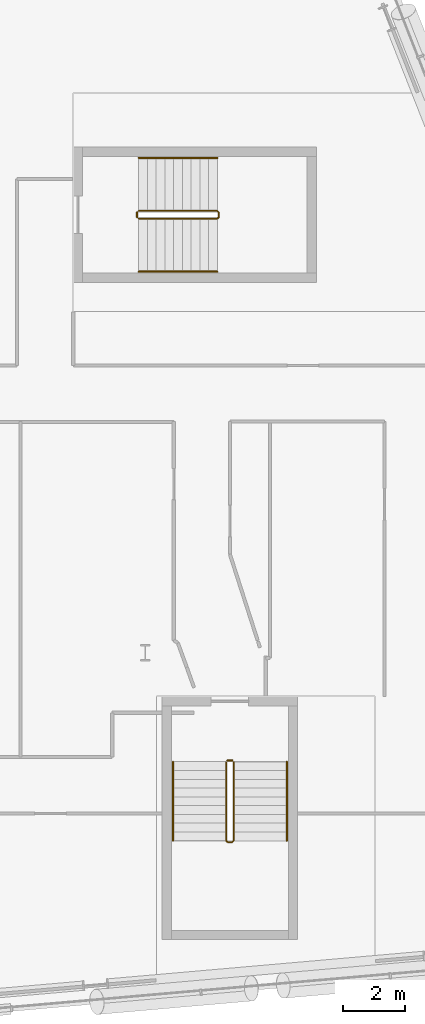
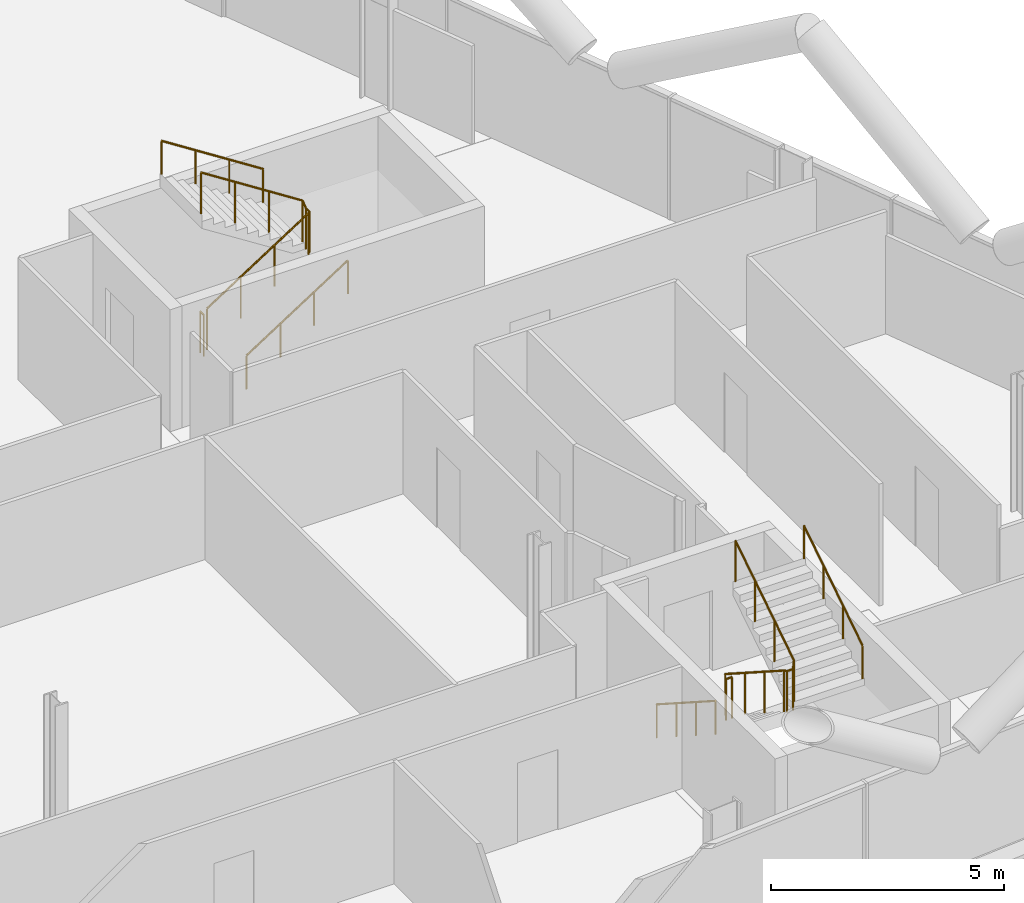
# One storey, part 28 of 28: 8 railings.
"""IFC4 building model written with IfcOpenShell, lengths in metres."""

from ifc_helpers import new_model, si_unit, direction, frame, origin, origin_2d, place, context, subcontext, project, spatial, circle, extrude, material, type_object, element, save


model = new_model("IFC4")

# Units and contexts
model_context = context("Model", 3, precision=1e-05, world=origin(), true_north=direction((0.0, 1.0)))
body_context = subcontext(model_context, "Body", "Model", "MODEL_VIEW")
ifc_project = project(units=[si_unit("LENGTHUNIT", "METRE"), si_unit("AREAUNIT", "SQUARE_METRE"), si_unit("VOLUMEUNIT", "CUBIC_METRE"), si_unit("PLANEANGLEUNIT", "RADIAN"), si_unit("MASSUNIT", "GRAM", prefix="KILO")], contexts=[model_context])

# Site, building, storey
site_placement = place(None, origin())
site = spatial("IfcSite", under=ifc_project, at=site_placement, CompositionType="ELEMENT")
building_placement = place(site_placement, origin())
building = spatial("IfcBuilding", under=site, at=building_placement, Name="Wharfspan Tower", CompositionType="ELEMENT")
storey_placement = place(building_placement, frame((0.0, 0.0, 132.699951)))
storey = spatial("IfcBuildingStorey", under=building, at=storey_placement, Name="L31", CompositionType="ELEMENT", Elevation=132.699951)

# Railings
ifc_material = material(Name="Steel S355J2", Category="steel")
railing_type_1 = type_object("IfcRailingType", Name="Stair guard 1100", PredefinedType="GUARDRAIL", material=ifc_material)
railing_1_placement = place(storey_placement, frame((74.591064, 7.994629, 0.179932)))
element("IfcRailing", 1, at=railing_1_placement, inside=storey, type_object=railing_type_1, Name="L31 ST5 stair guard 1", PredefinedType="GUARDRAIL", context=body_context, shape_type="SweptSolid", body=[
    extrude(circle(Radius=0.023926, at=origin_2d()), frame((0.0, 0.0, 1.076172), z_axis=(0.0, -0.841163, 0.540782), x_axis=(1.0, 0.0, 0.0)), (0.0, 0.0, 1.0), 2.99585),
    extrude(circle(Radius=0.023926, at=origin_2d()), frame((0.0, -2.52002, 2.696289), z_axis=(0.707107, -0.707107, 0.0), x_axis=(0.707107, 0.707107, 0.0)), (0.0, 0.0, 1.0), 0.070801),
    extrude(circle(Radius=0.023926, at=origin_2d()), frame((0.050049, -2.570068, 2.696289), z_axis=(1.0, 0.0, 0.0), x_axis=(0.0, 1.0, 0.0)), (0.0, 0.0, 1.0), 0.149902),
    extrude(circle(Radius=0.023926, at=origin_2d()), frame((0.199951, -2.570068, 2.696289), z_axis=(0.258848, 0.258848, 0.930589), x_axis=(-0.707107, 0.707107, 0.0)), (0.0, 0.0, 1.0), 0.193359),
    extrude(circle(Radius=0.023926, at=origin_2d()), frame((0.25, -2.52002, 2.875977), z_axis=(0.0, 0.841163, 0.540782), x_axis=(-1.0, 0.0, 0.0)), (0.0, 0.0, 1.0), 2.99585),
    extrude(circle(Radius=0.020996, at=origin_2d()), origin(), (0.0, 0.0, 1.0), 1.052002),
    extrude(circle(Radius=0.020996, at=origin_2d()), frame((0.0, -0.840088, 0.540039)), (0.0, 0.0, 1.0), 1.052002),
    extrude(circle(Radius=0.020996, at=origin_2d()), frame((0.0, -1.679932, 1.080078)), (0.0, 0.0, 1.0), 1.052002),
    extrude(circle(Radius=0.020996, at=origin_2d()), frame((0.0, -2.52002, 1.620117)), (0.0, 0.0, 1.0), 1.052002),
    extrude(circle(Radius=0.020996, at=origin_2d()), frame((0.050049, -2.570068, 1.620117)), (0.0, 0.0, 1.0), 1.052002),
    extrude(circle(Radius=0.020996, at=origin_2d()), frame((0.199951, -2.570068, 1.620117)), (0.0, 0.0, 1.0), 1.052002),
    extrude(circle(Radius=0.020996, at=origin_2d()), frame((0.25, -2.52002, 1.800049)), (0.0, 0.0, 1.0), 1.052002),
    extrude(circle(Radius=0.020996, at=origin_2d()), frame((0.25, -1.679932, 2.340088)), (0.0, 0.0, 1.0), 1.052002),
    extrude(circle(Radius=0.020996, at=origin_2d()), frame((0.25, -0.840088, 2.880127)), (0.0, 0.0, 1.0), 1.052002),
    extrude(circle(Radius=0.020996, at=origin_2d()), frame((0.25, 0.0, 3.420166)), (0.0, 0.0, 1.0), 1.052002),
])
railing_2_placement = place(storey_placement, frame((74.641113, 8.044678, 0.0)))
element("IfcRailing", 2, at=railing_2_placement, inside=storey, type_object=railing_type_1, Name="L31 ST5 stair guard 2", PredefinedType="GUARDRAIL", context=body_context, shape_type="SweptSolid", body=[
    extrude(circle(Radius=0.023926, at=origin_2d()), frame((0.0, 0.0, 1.076172), z_axis=(1.0, 0.0, 0.0), x_axis=(0.0, 1.0, 0.0)), (0.0, 0.0, 1.0), 0.149902),
    extrude(circle(Radius=0.020996, at=origin_2d()), origin(), (0.0, 0.0, 1.0), 1.052002),
    extrude(circle(Radius=0.020996, at=origin_2d()), frame((0.149902, 0.0, 0.0)), (0.0, 0.0, 1.0), 1.052002),
])
railing_3_placement = place(storey_placement, frame((71.790283, 25.425049, 0.179932)))
element("IfcRailing", 3, at=railing_3_placement, inside=storey, type_object=railing_type_1, Name="L31 ST6 stair guard 1", PredefinedType="GUARDRAIL", context=body_context, shape_type="SweptSolid", body=[
    extrude(circle(Radius=0.023926, at=origin_2d()), frame((0.0, 0.0, 1.076172), z_axis=(0.841163, 0.0, 0.540782), x_axis=(0.0, 1.0, 0.0)), (0.0, 0.0, 1.0), 2.99585),
    extrude(circle(Radius=0.023926, at=origin_2d()), frame((2.52002, 0.0, 2.696289), z_axis=(0.707107, 0.707107, 0.0), x_axis=(-0.707107, 0.707107, 0.0)), (0.0, 0.0, 1.0), 0.070801),
    extrude(circle(Radius=0.023926, at=origin_2d()), frame((2.570068, 0.050049, 2.696289), z_axis=(0.0, 1.0, 0.0), x_axis=(-1.0, 0.0, 0.0)), (0.0, 0.0, 1.0), 0.149902),
    extrude(circle(Radius=0.023926, at=origin_2d()), frame((2.570068, 0.199951, 2.696289), z_axis=(-0.258848, 0.258848, 0.930589), x_axis=(-0.707107, -0.707107, 0.0)), (0.0, 0.0, 1.0), 0.193359),
    extrude(circle(Radius=0.023926, at=origin_2d()), frame((2.52002, 0.25, 2.875977), z_axis=(-0.841163, 0.0, 0.540782), x_axis=(0.0, -1.0, 0.0)), (0.0, 0.0, 1.0), 2.99585),
    extrude(circle(Radius=0.020996, at=origin_2d()), origin(), (0.0, 0.0, 1.0), 1.052002),
    extrude(circle(Radius=0.020996, at=origin_2d()), frame((0.840088, 0.0, 0.540039)), (0.0, 0.0, 1.0), 1.052002),
    extrude(circle(Radius=0.020996, at=origin_2d()), frame((1.679932, 0.0, 1.080078)), (0.0, 0.0, 1.0), 1.052002),
    extrude(circle(Radius=0.020996, at=origin_2d()), frame((2.52002, 0.0, 1.620117)), (0.0, 0.0, 1.0), 1.052002),
    extrude(circle(Radius=0.020996, at=origin_2d()), frame((2.570068, 0.050049, 1.620117)), (0.0, 0.0, 1.0), 1.052002),
    extrude(circle(Radius=0.020996, at=origin_2d()), frame((2.570068, 0.199951, 1.620117)), (0.0, 0.0, 1.0), 1.052002),
    extrude(circle(Radius=0.020996, at=origin_2d()), frame((2.52002, 0.25, 1.800049)), (0.0, 0.0, 1.0), 1.052002),
    extrude(circle(Radius=0.020996, at=origin_2d()), frame((1.679932, 0.25, 2.340088)), (0.0, 0.0, 1.0), 1.052002),
    extrude(circle(Radius=0.020996, at=origin_2d()), frame((0.840088, 0.25, 2.880127)), (0.0, 0.0, 1.0), 1.052002),
    extrude(circle(Radius=0.020996, at=origin_2d()), frame((0.0, 0.25, 3.420166)), (0.0, 0.0, 1.0), 1.052002),
])
railing_4_placement = place(storey_placement, frame((71.740479, 25.475098, 0.0)))
element("IfcRailing", 4, at=railing_4_placement, inside=storey, type_object=railing_type_1, Name="L31 ST6 stair guard 2", PredefinedType="GUARDRAIL", context=body_context, shape_type="SweptSolid", body=[
    extrude(circle(Radius=0.023926, at=origin_2d()), frame((0.0, 0.0, 1.076172), z_axis=(0.0, 1.0, 0.0), x_axis=(-1.0, 0.0, 0.0)), (0.0, 0.0, 1.0), 0.149902),
    extrude(circle(Radius=0.020996, at=origin_2d()), origin(), (0.0, 0.0, 1.0), 1.052002),
    extrude(circle(Radius=0.020996, at=origin_2d()), frame((0.0, 0.149902, 0.0)), (0.0, 0.0, 1.0), 1.052002),
])
railing_type_2 = type_object("IfcRailingType", Name="Stair handrail 900", PredefinedType="HANDRAIL", material=ifc_material)
railing_5_placement = place(storey_placement, frame((72.891113, 7.994629, 0.179932)))
element("IfcRailing", 5, at=railing_5_placement, inside=storey, type_object=railing_type_2, Name="L31 ST5 stair handrail 1", PredefinedType="HANDRAIL", context=body_context, shape_type="SweptSolid", body=[
    extrude(circle(Radius=0.023926, at=origin_2d()), frame((0.0, 0.0, 0.875977), z_axis=(0.0, -0.841163, 0.540782), x_axis=(1.0, 0.0, 0.0)), (0.0, 0.0, 1.0), 2.99585),
    extrude(circle(Radius=0.020996, at=origin_2d()), origin(), (0.0, 0.0, 1.0), 0.851807),
    extrude(circle(Radius=0.020996, at=origin_2d()), frame((0.0, -0.840088, 0.540039)), (0.0, 0.0, 1.0), 0.851807),
    extrude(circle(Radius=0.020996, at=origin_2d()), frame((0.0, -1.679932, 1.080078)), (0.0, 0.0, 1.0), 0.851807),
    extrude(circle(Radius=0.020996, at=origin_2d()), frame((0.0, -2.52002, 1.620117)), (0.0, 0.0, 1.0), 0.851807),
])
railing_6_placement = place(storey_placement, frame((76.541016, 5.474609, 1.97998)))
element("IfcRailing", 6, at=railing_6_placement, inside=storey, type_object=railing_type_2, Name="L31 ST5 stair handrail 2", PredefinedType="HANDRAIL", context=body_context, shape_type="SweptSolid", body=[
    extrude(circle(Radius=0.023926, at=origin_2d()), frame((0.0, 0.0, 0.875977), z_axis=(0.0, 0.841163, 0.540782), x_axis=(-1.0, 0.0, 0.0)), (0.0, 0.0, 1.0), 2.99585),
    extrude(circle(Radius=0.020996, at=origin_2d()), origin(), (0.0, 0.0, 1.0), 0.851807),
    extrude(circle(Radius=0.020996, at=origin_2d()), frame((0.0, 0.840088, 0.540039)), (0.0, 0.0, 1.0), 0.851807),
    extrude(circle(Radius=0.020996, at=origin_2d()), frame((0.0, 1.679932, 1.080078)), (0.0, 0.0, 1.0), 0.851807),
    extrude(circle(Radius=0.020996, at=origin_2d()), frame((0.0, 2.52002, 1.620117)), (0.0, 0.0, 1.0), 0.851807),
])
railing_7_placement = place(storey_placement, frame((71.790283, 23.725098, 0.179932)))
element("IfcRailing", 7, at=railing_7_placement, inside=storey, type_object=railing_type_2, Name="L31 ST6 stair handrail 1", PredefinedType="HANDRAIL", context=body_context, shape_type="SweptSolid", body=[
    extrude(circle(Radius=0.023926, at=origin_2d()), frame((0.0, 0.0, 0.875977), z_axis=(0.841163, 0.0, 0.540782), x_axis=(0.0, 1.0, 0.0)), (0.0, 0.0, 1.0), 2.99585),
    extrude(circle(Radius=0.020996, at=origin_2d()), origin(), (0.0, 0.0, 1.0), 0.851807),
    extrude(circle(Radius=0.020996, at=origin_2d()), frame((0.840088, 0.0, 0.540039)), (0.0, 0.0, 1.0), 0.851807),
    extrude(circle(Radius=0.020996, at=origin_2d()), frame((1.679932, 0.0, 1.080078)), (0.0, 0.0, 1.0), 0.851807),
    extrude(circle(Radius=0.020996, at=origin_2d()), frame((2.52002, 0.0, 1.620117)), (0.0, 0.0, 1.0), 0.851807),
])
railing_8_placement = place(storey_placement, frame((74.310303, 27.375, 1.97998)))
element("IfcRailing", 8, at=railing_8_placement, inside=storey, type_object=railing_type_2, Name="L31 ST6 stair handrail 2", PredefinedType="HANDRAIL", context=body_context, shape_type="SweptSolid", body=[
    extrude(circle(Radius=0.023926, at=origin_2d()), frame((0.0, 0.0, 0.875977), z_axis=(-0.841163, 0.0, 0.540782), x_axis=(0.0, -1.0, 0.0)), (0.0, 0.0, 1.0), 2.99585),
    extrude(circle(Radius=0.020996, at=origin_2d()), origin(), (0.0, 0.0, 1.0), 0.851807),
    extrude(circle(Radius=0.020996, at=origin_2d()), frame((-0.840088, 0.0, 0.540039)), (0.0, 0.0, 1.0), 0.851807),
    extrude(circle(Radius=0.020996, at=origin_2d()), frame((-1.679932, 0.0, 1.080078)), (0.0, 0.0, 1.0), 0.851807),
    extrude(circle(Radius=0.020996, at=origin_2d()), frame((-2.52002, 0.0, 1.620117)), (0.0, 0.0, 1.0), 0.851807),
])

save(model, "model.ifc")
